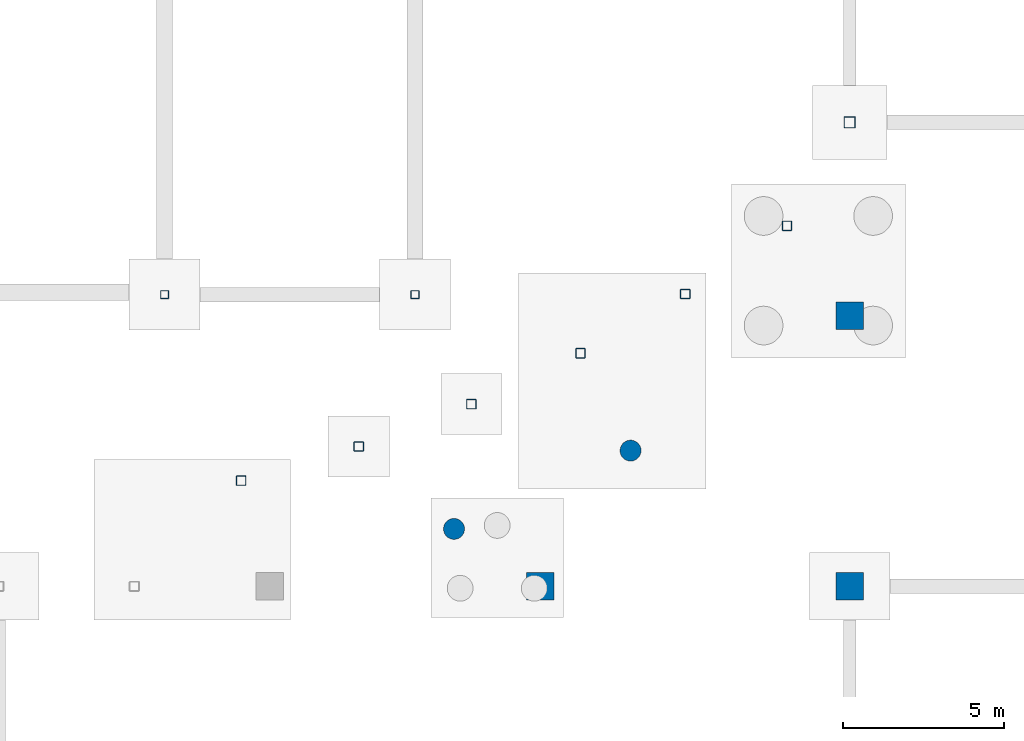
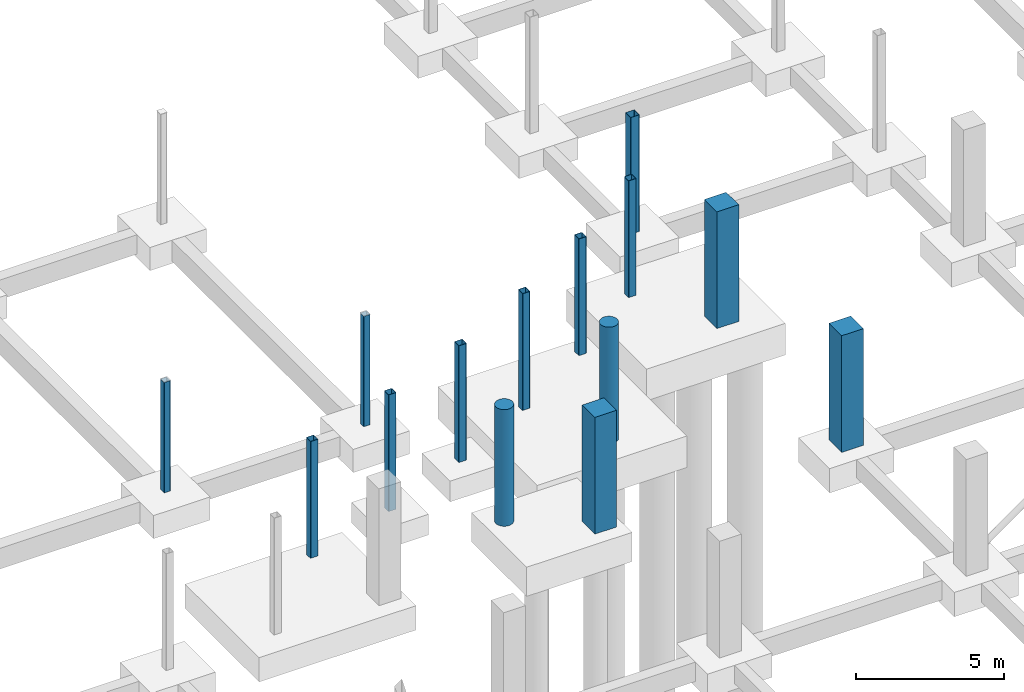
# One storey, part 14 of 44: 14 columns.
"""IFC4 building model written with IfcOpenShell, lengths in metres."""

import ifcopenshell
import ifcopenshell.guid

model = None  # the IFC model being written
_history = None  # IfcOwnerHistory: only IFC2X3 demands one
_inside = {}  # id of a spatial element -> (the spatial element, [elements in it])
_under = {}  # id of a project, library or spatial element -> (it, [spatial elements below it])
_declared = {}  # id of a project -> (the project, [libraries it declares])
_typed = {}  # id of a type object -> (the type object, [elements of that type])
_made_of = {}  # id of a material, layer set ... -> (it, [elements and type objects made of it])


def new_model(schema):
    """Start an empty IFC model of exactly this schema.

    Asked for "IFC4X3", IfcOpenShell would pick the latest addendum, in which some entities
    have other attributes; the version numbers below select the first issue.
    IFC2X3 requires an IfcOwnerHistory on every rooted entity: one is made here for all.
    """
    global model, _history
    if schema == "IFC4X3":
        model = ifcopenshell.file(schema_version=(4, 3, 0, 0))
    else:
        model = ifcopenshell.file(schema=schema)
    _inside.clear()
    _under.clear()
    _declared.clear()
    _typed.clear()
    _made_of.clear()
    _history = None
    if model.schema == "IFC2X3":
        org = make("IfcOrganization", Name="unknown")
        user = make(
            "IfcPersonAndOrganization",
            ThePerson=make("IfcPerson", FamilyName="unknown"),
            TheOrganization=org,
        )
        app = make(
            "IfcApplication",
            ApplicationDeveloper=org,
            Version="unknown",
            ApplicationFullName="unknown",
            ApplicationIdentifier="unknown",
        )
        _history = make(
            "IfcOwnerHistory",
            OwningUser=user,
            OwningApplication=app,
            ChangeAction="ADDED",
            CreationDate=0,
        )
    return model


def make(cls, **values):
    """One entity of the class cls with the attributes given. An attribute that is None is left unset."""
    return model.create_entity(
        cls, **{name: value for name, value in values.items() if value is not None}
    )


def rooted(cls, **values):
    """An entity with a GlobalId (a new one), such as an element, a storey or a relation."""
    return make(cls, GlobalId=ifcopenshell.guid.new(), OwnerHistory=_history, **values)


def si_unit(unit_type, name, prefix=None):
    """IfcSIUnit, for example si_unit("LENGTHUNIT", "METRE", prefix="MILLI")."""
    return make("IfcSIUnit", UnitType=unit_type, Prefix=prefix, Name=name)


def assignment(units):
    """IfcUnitAssignment: the units of a project."""
    return None if units is None else make("IfcUnitAssignment", Units=units)


def point(xyz):
    """IfcCartesianPoint."""
    return None if xyz is None else make("IfcCartesianPoint", Coordinates=xyz)


def direction(xyz):
    """IfcDirection."""
    return None if xyz is None else make("IfcDirection", DirectionRatios=xyz)


def frame(location, z_axis=None, x_axis=None):
    """IfcAxis2Placement3D, a coordinate frame: its origin and axes. An axis left out is left unset."""
    return make(
        "IfcAxis2Placement3D",
        Location=point(location),
        Axis=direction(z_axis),
        RefDirection=direction(x_axis),
    )


def frame_2d(location, x_axis=None):
    """IfcAxis2Placement2D, a coordinate frame in the plane: its origin and x axis."""
    return make(
        "IfcAxis2Placement2D", Location=point(location), RefDirection=direction(x_axis)
    )


def origin():
    """The frame at (0, 0, 0) with its axes left unset."""
    return frame((0.0, 0.0, 0.0))


def origin_2d():
    """The frame at (0, 0) in the plane with its x axis left unset."""
    return frame_2d((0.0, 0.0))


def place(relative_to, where):
    """IfcLocalPlacement: puts the frame where relative to a parent placement (None: the world)."""
    return make(
        "IfcLocalPlacement", PlacementRelTo=relative_to, RelativePlacement=where
    )


def context(
    kind, dimensions, precision=None, world=None, true_north=None, identifier=None
):
    """IfcGeometricRepresentationContext, for example the 3D "Model" context."""
    return make(
        "IfcGeometricRepresentationContext",
        ContextIdentifier=identifier,
        ContextType=kind,
        CoordinateSpaceDimension=dimensions,
        Precision=precision,
        WorldCoordinateSystem=world,
        TrueNorth=true_north,
    )


def subcontext(parent, identifier, kind, view, scale=None):
    """IfcGeometricRepresentationSubContext, for example "Body" below "Model"."""
    return make(
        "IfcGeometricRepresentationSubContext",
        ContextIdentifier=identifier,
        ContextType=kind,
        ParentContext=parent,
        TargetScale=scale,
        TargetView=view,
    )


def project(units=None, contexts=None):
    """IfcProject with its units and contexts."""
    return rooted(
        "IfcProject",
        Name="project",
        RepresentationContexts=contexts,
        UnitsInContext=assignment(units),
    )


def spatial(cls, under=None, at=None, **own):
    """A site, building, storey or space (cls), placed at a placement, below another one or the project."""
    s = rooted(cls, ObjectPlacement=at, **own)
    if under is not None:
        _under.setdefault(under.id(), (under, []))[1].append(s)
    return s


def profile(cls, at=None, kind="AREA", **sizes):
    """A parametric profile (cls). Its sizes go by their IFC names, for example OverallWidth=200.0."""
    return make(cls, ProfileType=kind, Position=at, **sizes)


def rectangle(**sizes):
    """IfcRectangleProfileDef."""
    return profile("IfcRectangleProfileDef", **sizes)


def hollow_rectangle(**sizes):
    """IfcRectangleHollowProfileDef."""
    return profile("IfcRectangleHollowProfileDef", **sizes)


def circle(**sizes):
    """IfcCircleProfileDef."""
    return profile("IfcCircleProfileDef", **sizes)


def extrude(swept, where, along, depth):
    """IfcExtrudedAreaSolid: the profile swept, set in the frame where, extruded along a direction by depth."""
    return make(
        "IfcExtrudedAreaSolid",
        SweptArea=swept,
        Position=where,
        ExtrudedDirection=direction(along),
        Depth=depth,
    )


def shape(context_of_items, identifier, shape_type, items):
    """IfcShapeRepresentation: the items that make up one representation, for example the "Body"."""
    return make(
        "IfcShapeRepresentation",
        ContextOfItems=context_of_items,
        RepresentationIdentifier=identifier,
        RepresentationType=shape_type,
        Items=items,
    )


def material(Name=None, Category=None):
    """IfcMaterial."""
    return make("IfcMaterial", Name=Name, Category=Category)


def material_profile(
    of_material, cross_section, Name=None, Category=None, Priority=None
):
    """IfcMaterialProfile: a cross section and its material."""
    return make(
        "IfcMaterialProfile",
        Name=Name,
        Material=of_material,
        Profile=cross_section,
        Priority=Priority,
        Category=Category,
    )


def profile_set(profiles, Name=None, composite=None):
    """IfcMaterialProfileSet."""
    return make(
        "IfcMaterialProfileSet",
        Name=Name,
        MaterialProfiles=profiles,
        CompositeProfile=composite,
    )


def made_of(thing, what):
    """Note that an element or type object is made of a material, layer set ...; save() writes the relation."""
    if what is not None:
        _made_of.setdefault(what.id(), (what, []))[1].append(thing)
    return thing


def type_object(cls, material=None, **own):
    """A type object (cls), such as IfcWallType, which elements share."""
    return made_of(rooted(cls, **own), material)


def element(
    cls,
    number,
    at=None,
    inside=None,
    cuts=None,
    type_object=None,
    material=None,
    context=None,
    identifier="Body",
    shape_type=None,
    held_by="IfcProductDefinitionShape",
    body=None,
    shapes=None,
    **own,
):
    """One element of the class cls, such as IfcWall. Its Tag is "e" and its number.

    at: its placement. inside: the storey or other place that contains it. cuts: it is an
    opening in that element (IfcRelVoidsElement). A single representation is given by context,
    identifier, shape_type and body (its items); several are given by shapes. held_by: the class
    of the entity that holds the representations. save() writes the other relations.
    """
    e = rooted(cls, Tag="e%d" % number, ObjectPlacement=at, **own)
    if body is not None:
        shapes = [shape(context, identifier, shape_type, body)]
    if shapes is not None:
        e.Representation = make(held_by, Representations=shapes)
    if inside is not None:
        _inside.setdefault(inside.id(), (inside, []))[1].append(e)
    if cuts is not None:
        rooted(
            "IfcRelVoidsElement", RelatingBuildingElement=cuts, RelatedOpeningElement=e
        )
    if type_object is not None:
        _typed.setdefault(type_object.id(), (type_object, []))[1].append(e)
    return made_of(e, material)


def aggregate(whole, parts):
    """IfcRelAggregates: a whole, such as a stair, and the parts it consists of."""
    return rooted("IfcRelAggregates", RelatingObject=whole, RelatedObjects=parts)


def save(model, path):
    """Write the relations noted so far, then the file.

    IfcRelAggregates (storeys below a building ...), IfcRelContainedInSpatialStructure (elements
    in a storey), IfcRelDefinesByType, IfcRelAssociatesMaterial and IfcRelDeclares: one each for
    every whole, place, type object, material and project.
    """
    for whole, parts in _under.values():
        aggregate(whole, parts)
    for where, things in _inside.values():
        rooted(
            "IfcRelContainedInSpatialStructure",
            RelatedElements=things,
            RelatingStructure=where,
        )
    for kind, things in _typed.values():
        rooted("IfcRelDefinesByType", RelatedObjects=things, RelatingType=kind)
    for what, things in _made_of.values():
        rooted("IfcRelAssociatesMaterial", RelatedObjects=things, RelatingMaterial=what)
    for by, libraries in _declared.values():
        rooted("IfcRelDeclares", RelatingContext=by, RelatedDefinitions=libraries)
    model.write(path)


model = new_model("IFC4")

# Units and contexts
model_context = context("Model", 3, precision=1e-05, world=origin(), true_north=direction((0.0, 1.0)))
body_context = subcontext(model_context, "Body", "Model", "MODEL_VIEW")
ifc_project = project(units=[si_unit("LENGTHUNIT", "METRE"), si_unit("AREAUNIT", "SQUARE_METRE"), si_unit("VOLUMEUNIT", "CUBIC_METRE"), si_unit("PLANEANGLEUNIT", "RADIAN"), si_unit("MASSUNIT", "GRAM", prefix="KILO")], contexts=[model_context])

# Site, building, storey
site_placement = place(None, origin())
site = spatial("IfcSite", under=ifc_project, at=site_placement, CompositionType="ELEMENT")
building_placement = place(site_placement, origin())
building = spatial("IfcBuilding", under=site, at=building_placement, Name="Kisaragi Civic Commons", CompositionType="ELEMENT")
storey_placement = place(building_placement, frame((0.0, 0.0, -4.800048828125)))
storey = spatial("IfcBuildingStorey", under=building, at=storey_placement, Name="B1", CompositionType="ELEMENT", Elevation=-4.800048828125)

# Columns
ifc_material_1 = material(Name="Concrete Fc36", Category="concrete")
ifc_material_profile_1 = material_profile(ifc_material_1, rectangle(XDim=0.85009765625, YDim=0.85009765625, at=origin_2d()), Name="RC-850x850", Category="concrete")
ifc_profile_set_1 = profile_set([ifc_material_profile_1], Name="Concrete Fc36")
column_type_1 = type_object("IfcColumnType", Name="C-01", PredefinedType="COLUMN", material=ifc_profile_set_1)
for number, where, z_axis, x_axis, name in (
    (1, (114.0, 16.800048828125, 0.0), (0.0, 0.0, 1.0), (1.0, 0.0, 0.0), "B1 column C-01 (114.0,16.8)"),
    (2, (123.60009765625, 16.800048828125, 0.0), (0.0, 0.0, 1.0), (1.0, 0.0, 0.0), "B1 column C-01 (123.6,16.8)"),
):
    element("IfcColumn", number, at=place(storey_placement, frame(where, z_axis=z_axis, x_axis=x_axis)), inside=storey, type_object=column_type_1, Name=name, PredefinedType="COLUMN", context=body_context, shape_type="SweptSolid", body=[
        extrude(rectangle(XDim=0.85009765625, YDim=0.85009765625, at=origin_2d()), origin(), (0.0, 0.0, 1.0), 4.800048828125),
    ])
ifc_material_profile_2 = material_profile(ifc_material_1, rectangle(XDim=0.85009765625, YDim=0.85009765625, at=origin_2d()), Name="RC-850x850", Category="concrete")
ifc_profile_set_2 = profile_set([ifc_material_profile_2], Name="Concrete Fc36")
column_type_2 = type_object("IfcColumnType", Name="C-05", PredefinedType="COLUMN", material=ifc_profile_set_2)
column_1_placement = place(storey_placement, frame((123.60009765625, 25.199951171875, 0.0), z_axis=(0.0, 0.0, 1.0), x_axis=(1.0, 0.0, 0.0)))
element("IfcColumn", 3, at=column_1_placement, inside=storey, type_object=column_type_2, Name="B1 column C-05 (123.6,25.2)", PredefinedType="COLUMN", context=body_context, shape_type="SweptSolid", body=[
    extrude(rectangle(XDim=0.85009765625, YDim=0.85009765625, at=origin_2d()), origin(), (0.0, 0.0, 1.0), 4.800048828125),
])
ifc_material_2 = material(Name="Concrete Fc30", Category="concrete")
ifc_material_profile_3 = material_profile(ifc_material_2, circle(Radius=0.324951171875, at=origin_2d()), Name="RC-D650", Category="concrete")
ifc_profile_set_3 = profile_set([ifc_material_profile_3], Name="Concrete Fc30")
column_type_3 = type_object("IfcColumnType", Name="C-12", PredefinedType="COLUMN", material=ifc_profile_set_3)
for number, where, z_axis, x_axis, name in (
    (4, (111.3212890625, 18.5830078125, 0.0), (0.0, 0.0, 1.0), (1.0, 0.0, 0.0), "B1 column C-12 (111.3,18.6)"),
    (5, (116.79931640625, 21.01220703125, 0.0), (0.0, 0.0, 1.0), (1.0, 0.0, 0.0), "B1 column C-12 (116.8,21.0)"),
):
    element("IfcColumn", number, at=place(storey_placement, frame(where, z_axis=z_axis, x_axis=x_axis)), inside=storey, type_object=column_type_3, Name=name, PredefinedType="COLUMN", context=body_context, shape_type="SweptSolid", body=[
        extrude(circle(Radius=0.324951171875, at=origin_2d()), origin(), (0.0, 0.0, 1.0), 4.800048828125),
    ])
ifc_material_3 = material(Name="Steel BCR295", Category="steel")
ifc_material_profile_4 = material_profile(ifc_material_3, hollow_rectangle(XDim=0.35009765625, YDim=0.35009765625, WallThickness=0.011962890625, InnerFilletRadius=0.011962890625, OuterFilletRadius=0.02392578125, at=origin_2d()), Name="BCR-350x350x12", Category="steel")
ifc_profile_set_4 = profile_set([ifc_material_profile_4], Name="Steel BCR295")
column_type_4 = type_object("IfcColumnType", Name="C-13", PredefinedType="COLUMN", material=ifc_profile_set_4)
column_2_placement = place(storey_placement, frame((123.60009765625, 31.199951171875, 0.0), z_axis=(0.0, 0.0, 1.0), x_axis=(1.0, 0.0, 0.0)))
element("IfcColumn", 6, at=column_2_placement, inside=storey, type_object=column_type_4, Name="B1 column C-13 (123.6,31.2)", PredefinedType="COLUMN", context=body_context, shape_type="SweptSolid", body=[
    extrude(hollow_rectangle(XDim=0.35009765625, YDim=0.35009765625, WallThickness=0.011962890625, InnerFilletRadius=0.011962890625, OuterFilletRadius=0.02392578125, at=origin_2d()), origin(), (0.0, 0.0, 1.0), 4.800048828125),
])
ifc_material_profile_5 = material_profile(ifc_material_3, hollow_rectangle(XDim=0.300048828125, YDim=0.300048828125, WallThickness=0.012939453125, InnerFilletRadius=0.012939453125, OuterFilletRadius=0.02587890625, at=origin_2d()), Name="BCR-300x300x13", Category="steel")
ifc_profile_set_5 = profile_set([ifc_material_profile_5], Name="Steel BCR295")
column_type_5 = type_object("IfcColumnType", Name="C-15", PredefinedType="COLUMN", material=ifc_profile_set_5)
for number, where, z_axis, x_axis, name in (
    (7, (104.7138671875, 20.08251953125, 0.0), (0.0, 0.0, 1.0), (1.0, 0.0, 0.0), "B1 column C-15 (104.7,20.1)"),
    (8, (108.363525390625, 21.1416015625, 0.0), (0.0, 0.0, 1.0), (1.0, 0.0, 0.0), "B1 column C-15 (108.4,21.1)"),
    (9, (111.859619140625, 22.456298828125, 0.0), (0.0, 0.0, 1.0), (1.0, 0.0, 0.0), "B1 column C-15 (111.9,22.5)"),
    (10, (115.244140625, 24.035888671875, 0.0), (0.0, 0.0, 1.0), (1.0, 0.0, 0.0), "B1 column C-15 (115.2,24.0)"),
    (11, (118.497314453125, 25.87060546875, 0.0), (0.0, 0.0, 1.0), (1.0, 0.0, 0.0), "B1 column C-15 (118.5,25.9)"),
    (12, (121.6533203125, 27.987548828125, 0.0), (0.0, 0.0, 1.0), (1.0, 0.0, 0.0), "B1 column C-15 (121.7,28.0)"),
):
    element("IfcColumn", number, at=place(storey_placement, frame(where, z_axis=z_axis, x_axis=x_axis)), inside=storey, type_object=column_type_5, Name=name, PredefinedType="COLUMN", context=body_context, shape_type="SweptSolid", body=[
        extrude(hollow_rectangle(XDim=0.300048828125, YDim=0.300048828125, WallThickness=0.012939453125, InnerFilletRadius=0.012939453125, OuterFilletRadius=0.02587890625, at=origin_2d()), origin(), (0.0, 0.0, 1.0), 4.800048828125),
    ])
ifc_material_profile_6 = material_profile(ifc_material_3, hollow_rectangle(XDim=0.25, YDim=0.25, WallThickness=0.009033203125, InnerFilletRadius=0.009033203125, OuterFilletRadius=0.01806640625, at=origin_2d()), Name="BCR-250x250x9", Category="steel")
ifc_profile_set_6 = profile_set([ifc_material_profile_6], Name="Steel BCR295")
column_type_6 = type_object("IfcColumnType", Name="C-26", PredefinedType="COLUMN", material=ifc_profile_set_6)
for number, where, z_axis, x_axis, name in (
    (13, (102.34033203125, 25.85400390625, 0.0), (0.0, 0.0, 1.0), (1.0, 0.0, 0.0), "B1 column C-26 (102.3,25.9)"),
    (14, (110.110107421875, 25.85400390625, 0.0), (0.0, 0.0, 1.0), (1.0, 0.0, 0.0), "B1 column C-26 (110.1,25.9)"),
):
    element("IfcColumn", number, at=place(storey_placement, frame(where, z_axis=z_axis, x_axis=x_axis)), inside=storey, type_object=column_type_6, Name=name, PredefinedType="COLUMN", context=body_context, shape_type="SweptSolid", body=[
        extrude(hollow_rectangle(XDim=0.25, YDim=0.25, WallThickness=0.009033203125, InnerFilletRadius=0.009033203125, OuterFilletRadius=0.01806640625, at=origin_2d()), origin(), (0.0, 0.0, 1.0), 4.5390625),
    ])

save(model, "model.ifc")
